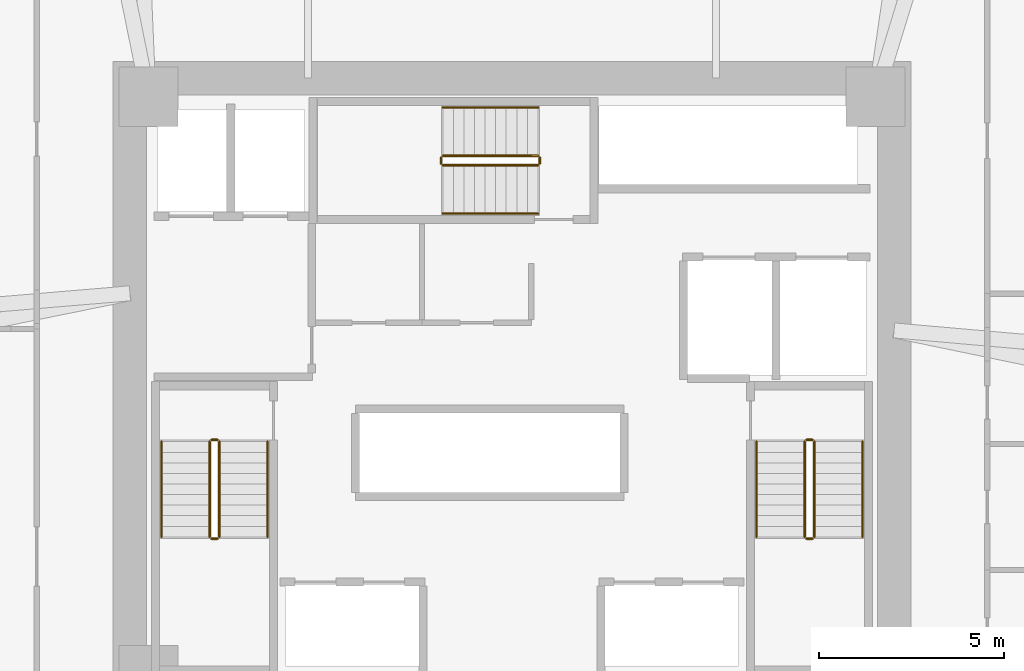
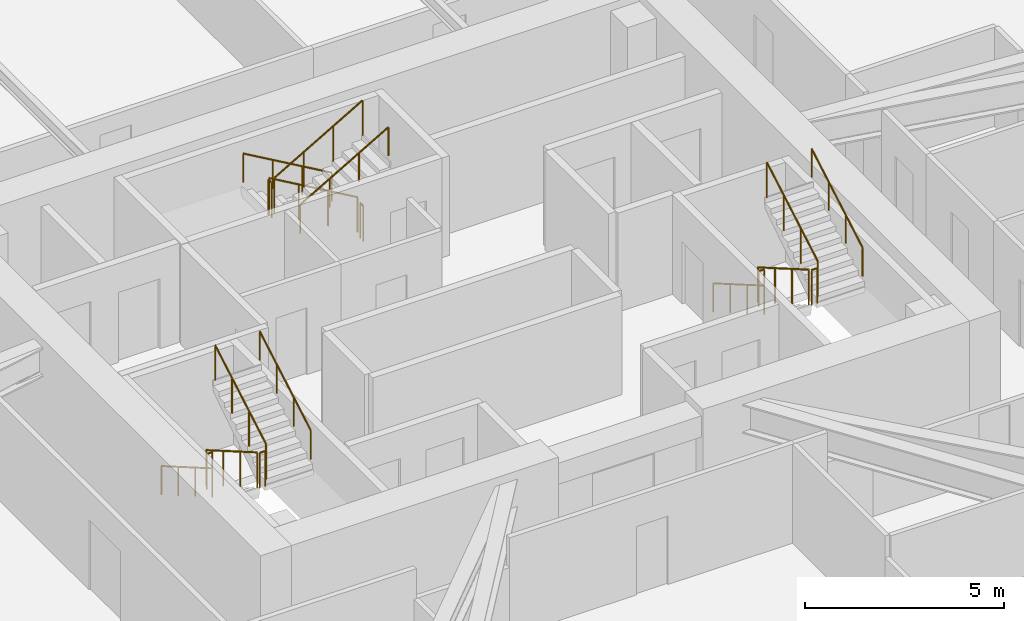
# One storey, part 14 of 14: 18 railings.
"""IFC4 building model written with IfcOpenShell, lengths in metres."""

from ifc_helpers import new_model, si_unit, direction, frame, origin, origin_2d, place, context, subcontext, project, spatial, circle, extrude, material, type_object, element, save


model = new_model("IFC4")

# Units and contexts
model_context = context("Model", 3, precision=1e-05, world=origin(), true_north=direction((0.0, 1.0)))
body_context = subcontext(model_context, "Body", "Model", "MODEL_VIEW")
ifc_project = project(units=[si_unit("LENGTHUNIT", "METRE"), si_unit("AREAUNIT", "SQUARE_METRE"), si_unit("VOLUMEUNIT", "CUBIC_METRE"), si_unit("PLANEANGLEUNIT", "RADIAN"), si_unit("MASSUNIT", "GRAM", prefix="KILO")], contexts=[model_context])

# Site, building, storey
site_placement = place(None, origin())
site = spatial("IfcSite", under=ifc_project, at=site_placement, CompositionType="ELEMENT")
building_placement = place(site_placement, origin())
building = spatial("IfcBuilding", under=site, at=building_placement, Name="Durnholm Broadcast Tower", CompositionType="ELEMENT")
storey_placement = place(building_placement, frame((0.0, 0.0, 48.89990234375)))
storey = spatial("IfcBuildingStorey", under=building, at=storey_placement, Name="L11", CompositionType="ELEMENT", Elevation=48.89990234375)

# Railings
ifc_material_1 = material(Name="Painted Tubular Steel Stair Guardrail", Category="steel")
railing_type_1 = type_object("IfcRailingType", Name="RAIL-ST-GRD", PredefinedType="GUARDRAIL", material=ifc_material_1)
railing_1_placement = place(storey_placement, frame((-8.14990234375, -1.5, 0.1650390625)))
element("IfcRailing", 1, at=railing_1_placement, inside=storey, type_object=railing_type_1, Name="L11 ST-1 stair guard 1", PredefinedType="GUARDRAIL", context=body_context, shape_type="SweptSolid", body=[
    extrude(circle(Radius=0.02392578125, at=origin_2d()), frame((0.0, 0.0, 1.076171875), z_axis=(0.0, -0.865405606168, 0.501071987656), x_axis=(1.0, 0.0, 0.0)), (0.0, 0.0, 1.0), 2.9638671875),
    extrude(circle(Radius=0.02099609375, at=origin_2d()), origin(), (0.0, 0.0, 1.0), 1.052001953125),
    extrude(circle(Radius=0.02099609375, at=origin_2d()), frame((0.0, -0.85498046875, 0.4951171875)), (0.0, 0.0, 1.0), 1.052001953125),
    extrude(circle(Radius=0.02099609375, at=origin_2d()), frame((0.0, -1.7099609375, 0.989990234375)), (0.0, 0.0, 1.0), 1.052001953125),
    extrude(circle(Radius=0.02099609375, at=origin_2d()), frame((0.0, -2.56494140625, 1.485107421875)), (0.0, 0.0, 1.0), 1.052001953125),
])
railing_2_placement = place(storey_placement, frame((-8.10009765625, -4.114990234375, 1.650146484375)))
element("IfcRailing", 2, at=railing_2_placement, inside=storey, type_object=railing_type_1, Name="L11 ST-1 stair guard 2", PredefinedType="GUARDRAIL", context=body_context, shape_type="SweptSolid", body=[
    extrude(circle(Radius=0.02392578125, at=origin_2d()), frame((0.0, 0.0, 1.076171875), z_axis=(1.0, 0.0, 0.0), x_axis=(0.0, 1.0, 0.0)), (0.0, 0.0, 1.0), 0.16015625),
    extrude(circle(Radius=0.02099609375, at=origin_2d()), origin(), (0.0, 0.0, 1.0), 1.052001953125),
    extrude(circle(Radius=0.02099609375, at=origin_2d()), frame((0.16015625, 0.0, 0.0)), (0.0, 0.0, 1.0), 1.052001953125),
])
railing_3_placement = place(storey_placement, frame((-7.889892578125, -4.06494140625, 1.815185546875)))
element("IfcRailing", 3, at=railing_3_placement, inside=storey, type_object=railing_type_1, Name="L11 ST-1 stair guard 3", PredefinedType="GUARDRAIL", context=body_context, shape_type="SweptSolid", body=[
    extrude(circle(Radius=0.02392578125, at=origin_2d()), frame((0.0, 0.0, 1.076171875), z_axis=(0.0, 0.865441324677, 0.50101029285), x_axis=(-1.0, 0.0, 0.0)), (0.0, 0.0, 1.0), 2.963623046875),
    extrude(circle(Radius=0.02099609375, at=origin_2d()), origin(), (0.0, 0.0, 1.0), 1.052001953125),
    extrude(circle(Radius=0.02099609375, at=origin_2d()), frame((0.0, 0.85498046875, 0.494873046875)), (0.0, 0.0, 1.0), 1.052001953125),
    extrude(circle(Radius=0.02099609375, at=origin_2d()), frame((0.0, 1.7099609375, 0.989990234375)), (0.0, 0.0, 1.0), 1.052001953125),
    extrude(circle(Radius=0.02099609375, at=origin_2d()), frame((0.0, 2.56494140625, 1.48486328125)), (0.0, 0.0, 1.0), 1.052001953125),
])
railing_4_placement = place(storey_placement, frame((-8.10009765625, -1.449951171875, 0.0)))
element("IfcRailing", 4, at=railing_4_placement, inside=storey, type_object=railing_type_1, Name="L11 ST-1 stair guard 4", PredefinedType="GUARDRAIL", context=body_context, shape_type="SweptSolid", body=[
    extrude(circle(Radius=0.02392578125, at=origin_2d()), frame((0.0, 0.0, 1.076171875), z_axis=(1.0, 0.0, 0.0), x_axis=(0.0, 1.0, 0.0)), (0.0, 0.0, 1.0), 0.16015625),
    extrude(circle(Radius=0.02099609375, at=origin_2d()), origin(), (0.0, 0.0, 1.0), 1.052001953125),
    extrude(circle(Radius=0.02099609375, at=origin_2d()), frame((0.16015625, 0.0, 0.0)), (0.0, 0.0, 1.0), 1.052001953125),
])
railing_5_placement = place(storey_placement, frame((7.889892578125, -1.5, 0.1650390625)))
element("IfcRailing", 5, at=railing_5_placement, inside=storey, type_object=railing_type_1, Name="L11 ST-2 stair guard 1", PredefinedType="GUARDRAIL", context=body_context, shape_type="SweptSolid", body=[
    extrude(circle(Radius=0.02392578125, at=origin_2d()), frame((0.0, 0.0, 1.076171875), z_axis=(0.0, -0.865405606168, 0.501071987656), x_axis=(1.0, 0.0, 0.0)), (0.0, 0.0, 1.0), 2.9638671875),
    extrude(circle(Radius=0.02099609375, at=origin_2d()), origin(), (0.0, 0.0, 1.0), 1.052001953125),
    extrude(circle(Radius=0.02099609375, at=origin_2d()), frame((0.0, -0.85498046875, 0.4951171875)), (0.0, 0.0, 1.0), 1.052001953125),
    extrude(circle(Radius=0.02099609375, at=origin_2d()), frame((0.0, -1.7099609375, 0.989990234375)), (0.0, 0.0, 1.0), 1.052001953125),
    extrude(circle(Radius=0.02099609375, at=origin_2d()), frame((0.0, -2.56494140625, 1.485107421875)), (0.0, 0.0, 1.0), 1.052001953125),
])
railing_6_placement = place(storey_placement, frame((7.93994140625, -4.114990234375, 1.650146484375)))
element("IfcRailing", 6, at=railing_6_placement, inside=storey, type_object=railing_type_1, Name="L11 ST-2 stair guard 2", PredefinedType="GUARDRAIL", context=body_context, shape_type="SweptSolid", body=[
    extrude(circle(Radius=0.02392578125, at=origin_2d()), frame((0.0, 0.0, 1.076171875), z_axis=(1.0, 0.0, 0.0), x_axis=(0.0, 1.0, 0.0)), (0.0, 0.0, 1.0), 0.16015625),
    extrude(circle(Radius=0.02099609375, at=origin_2d()), origin(), (0.0, 0.0, 1.0), 1.052001953125),
    extrude(circle(Radius=0.02099609375, at=origin_2d()), frame((0.16015625, 0.0, 0.0)), (0.0, 0.0, 1.0), 1.052001953125),
])
railing_7_placement = place(storey_placement, frame((8.14990234375, -4.06494140625, 1.815185546875)))
element("IfcRailing", 7, at=railing_7_placement, inside=storey, type_object=railing_type_1, Name="L11 ST-2 stair guard 3", PredefinedType="GUARDRAIL", context=body_context, shape_type="SweptSolid", body=[
    extrude(circle(Radius=0.02392578125, at=origin_2d()), frame((0.0, 0.0, 1.076171875), z_axis=(0.0, 0.865441324677, 0.50101029285), x_axis=(-1.0, 0.0, 0.0)), (0.0, 0.0, 1.0), 2.963623046875),
    extrude(circle(Radius=0.02099609375, at=origin_2d()), origin(), (0.0, 0.0, 1.0), 1.052001953125),
    extrude(circle(Radius=0.02099609375, at=origin_2d()), frame((0.0, 0.85498046875, 0.494873046875)), (0.0, 0.0, 1.0), 1.052001953125),
    extrude(circle(Radius=0.02099609375, at=origin_2d()), frame((0.0, 1.7099609375, 0.989990234375)), (0.0, 0.0, 1.0), 1.052001953125),
    extrude(circle(Radius=0.02099609375, at=origin_2d()), frame((0.0, 2.56494140625, 1.48486328125)), (0.0, 0.0, 1.0), 1.052001953125),
])
railing_8_placement = place(storey_placement, frame((7.93994140625, -1.449951171875, 0.0)))
element("IfcRailing", 8, at=railing_8_placement, inside=storey, type_object=railing_type_1, Name="L11 ST-2 stair guard 4", PredefinedType="GUARDRAIL", context=body_context, shape_type="SweptSolid", body=[
    extrude(circle(Radius=0.02392578125, at=origin_2d()), frame((0.0, 0.0, 1.076171875), z_axis=(1.0, 0.0, 0.0), x_axis=(0.0, 1.0, 0.0)), (0.0, 0.0, 1.0), 0.16015625),
    extrude(circle(Radius=0.02099609375, at=origin_2d()), origin(), (0.0, 0.0, 1.0), 1.052001953125),
    extrude(circle(Radius=0.02099609375, at=origin_2d()), frame((0.16015625, 0.0, 0.0)), (0.0, 0.0, 1.0), 1.052001953125),
])
railing_9_placement = place(storey_placement, frame((0.699951171875, 6.2099609375, 0.1650390625)))
element("IfcRailing", 9, at=railing_9_placement, inside=storey, type_object=railing_type_1, Name="L11 ST-3 stair guard 1", PredefinedType="GUARDRAIL", context=body_context, shape_type="SweptSolid", body=[
    extrude(circle(Radius=0.02392578125, at=origin_2d()), frame((0.0, 0.0, 1.076171875), z_axis=(-0.865405606168, 0.0, 0.501071987656), x_axis=(0.0, -1.0, 0.0)), (0.0, 0.0, 1.0), 2.9638671875),
    extrude(circle(Radius=0.02099609375, at=origin_2d()), origin(), (0.0, 0.0, 1.0), 1.052001953125),
    extrude(circle(Radius=0.02099609375, at=origin_2d()), frame((-0.85498046875, 0.0, 0.4951171875)), (0.0, 0.0, 1.0), 1.052001953125),
    extrude(circle(Radius=0.02099609375, at=origin_2d()), frame((-1.7099609375, 0.0, 0.989990234375)), (0.0, 0.0, 1.0), 1.052001953125),
    extrude(circle(Radius=0.02099609375, at=origin_2d()), frame((-2.56494140625, 0.0, 1.485107421875)), (0.0, 0.0, 1.0), 1.052001953125),
])
railing_10_placement = place(storey_placement, frame((-1.9150390625, 6.159912109375, 1.650146484375)))
element("IfcRailing", 10, at=railing_10_placement, inside=storey, type_object=railing_type_1, Name="L11 ST-3 stair guard 2", PredefinedType="GUARDRAIL", context=body_context, shape_type="SweptSolid", body=[
    extrude(circle(Radius=0.02392578125, at=origin_2d()), frame((0.0, 0.0, 1.076171875), z_axis=(0.0, -1.0, 0.0), x_axis=(1.0, 0.0, 0.0)), (0.0, 0.0, 1.0), 0.159912109375),
    extrude(circle(Radius=0.02099609375, at=origin_2d()), origin(), (0.0, 0.0, 1.0), 1.052001953125),
    extrude(circle(Radius=0.02099609375, at=origin_2d()), frame((0.0, -0.159912109375, 0.0)), (0.0, 0.0, 1.0), 1.052001953125),
])
railing_11_placement = place(storey_placement, frame((-1.864990234375, 5.949951171875, 1.815185546875)))
element("IfcRailing", 11, at=railing_11_placement, inside=storey, type_object=railing_type_1, Name="L11 ST-3 stair guard 3", PredefinedType="GUARDRAIL", context=body_context, shape_type="SweptSolid", body=[
    extrude(circle(Radius=0.02392578125, at=origin_2d()), frame((0.0, 0.0, 1.076171875), z_axis=(0.865441324677, 0.0, 0.50101029285), x_axis=(0.0, 1.0, 0.0)), (0.0, 0.0, 1.0), 2.963623046875),
    extrude(circle(Radius=0.02099609375, at=origin_2d()), origin(), (0.0, 0.0, 1.0), 1.052001953125),
    extrude(circle(Radius=0.02099609375, at=origin_2d()), frame((0.85498046875, 0.0, 0.494873046875)), (0.0, 0.0, 1.0), 1.052001953125),
    extrude(circle(Radius=0.02099609375, at=origin_2d()), frame((1.7099609375, 0.0, 0.989990234375)), (0.0, 0.0, 1.0), 1.052001953125),
    extrude(circle(Radius=0.02099609375, at=origin_2d()), frame((2.56494140625, 0.0, 1.48486328125)), (0.0, 0.0, 1.0), 1.052001953125),
])
railing_12_placement = place(storey_placement, frame((0.75, 6.159912109375, 0.0)))
element("IfcRailing", 12, at=railing_12_placement, inside=storey, type_object=railing_type_1, Name="L11 ST-3 stair guard 4", PredefinedType="GUARDRAIL", context=body_context, shape_type="SweptSolid", body=[
    extrude(circle(Radius=0.02392578125, at=origin_2d()), frame((0.0, 0.0, 1.076171875), z_axis=(0.0, -1.0, 0.0), x_axis=(1.0, 0.0, 0.0)), (0.0, 0.0, 1.0), 0.159912109375),
    extrude(circle(Radius=0.02099609375, at=origin_2d()), origin(), (0.0, 0.0, 1.0), 1.052001953125),
    extrude(circle(Radius=0.02099609375, at=origin_2d()), frame((0.0, -0.159912109375, 0.0)), (0.0, 0.0, 1.0), 1.052001953125),
])
ifc_material_2 = material(Name="Brushed Stainless Steel Handrail", Category="steel")
railing_type_2 = type_object("IfcRailingType", Name="RAIL-ST-HND", PredefinedType="HANDRAIL", material=ifc_material_2)
railing_13_placement = place(storey_placement, frame((-9.449951171875, -1.5, 0.330078125)))
element("IfcRailing", 13, at=railing_13_placement, inside=storey, type_object=railing_type_2, Name="L11 ST-1 stair handrail 1", PredefinedType="HANDRAIL", context=body_context, shape_type="SweptSolid", body=[
    extrude(circle(Radius=0.02392578125, at=origin_2d()), frame((0.0, 0.0, 0.8759765625), z_axis=(0.0, -0.865405606168, 0.501071987656), x_axis=(1.0, 0.0, 0.0)), (0.0, 0.0, 1.0), 2.9638671875),
    extrude(circle(Radius=0.02099609375, at=origin_2d()), origin(), (0.0, 0.0, 1.0), 0.851806640625),
    extrude(circle(Radius=0.02099609375, at=origin_2d()), frame((0.0, -0.85498046875, 0.4951171875)), (0.0, 0.0, 1.0), 0.851806640625),
    extrude(circle(Radius=0.02099609375, at=origin_2d()), frame((0.0, -1.7099609375, 0.989990234375)), (0.0, 0.0, 1.0), 0.851806640625),
    extrude(circle(Radius=0.02099609375, at=origin_2d()), frame((0.0, -2.56494140625, 1.485107421875)), (0.0, 0.0, 1.0), 0.851806640625),
])
railing_14_placement = place(storey_placement, frame((-6.590087890625, -4.06494140625, 1.97998046875)))
element("IfcRailing", 14, at=railing_14_placement, inside=storey, type_object=railing_type_2, Name="L11 ST-1 stair handrail 2", PredefinedType="HANDRAIL", context=body_context, shape_type="SweptSolid", body=[
    extrude(circle(Radius=0.02392578125, at=origin_2d()), frame((0.0, 0.0, 0.8759765625), z_axis=(0.0, 0.865405606168, 0.501071987656), x_axis=(-1.0, 0.0, 0.0)), (0.0, 0.0, 1.0), 2.9638671875),
    extrude(circle(Radius=0.02099609375, at=origin_2d()), origin(), (0.0, 0.0, 1.0), 0.851806640625),
    extrude(circle(Radius=0.02099609375, at=origin_2d()), frame((0.0, 0.85498046875, 0.4951171875)), (0.0, 0.0, 1.0), 0.851806640625),
    extrude(circle(Radius=0.02099609375, at=origin_2d()), frame((0.0, 1.7099609375, 0.989990234375)), (0.0, 0.0, 1.0), 0.851806640625),
    extrude(circle(Radius=0.02099609375, at=origin_2d()), frame((0.0, 2.56494140625, 1.485107421875)), (0.0, 0.0, 1.0), 0.851806640625),
])
railing_15_placement = place(storey_placement, frame((6.590087890625, -1.5, 0.330078125)))
element("IfcRailing", 15, at=railing_15_placement, inside=storey, type_object=railing_type_2, Name="L11 ST-2 stair handrail 1", PredefinedType="HANDRAIL", context=body_context, shape_type="SweptSolid", body=[
    extrude(circle(Radius=0.02392578125, at=origin_2d()), frame((0.0, 0.0, 0.8759765625), z_axis=(0.0, -0.865405606168, 0.501071987656), x_axis=(1.0, 0.0, 0.0)), (0.0, 0.0, 1.0), 2.9638671875),
    extrude(circle(Radius=0.02099609375, at=origin_2d()), origin(), (0.0, 0.0, 1.0), 0.851806640625),
    extrude(circle(Radius=0.02099609375, at=origin_2d()), frame((0.0, -0.85498046875, 0.4951171875)), (0.0, 0.0, 1.0), 0.851806640625),
    extrude(circle(Radius=0.02099609375, at=origin_2d()), frame((0.0, -1.7099609375, 0.989990234375)), (0.0, 0.0, 1.0), 0.851806640625),
    extrude(circle(Radius=0.02099609375, at=origin_2d()), frame((0.0, -2.56494140625, 1.485107421875)), (0.0, 0.0, 1.0), 0.851806640625),
])
railing_16_placement = place(storey_placement, frame((9.449951171875, -4.06494140625, 1.97998046875)))
element("IfcRailing", 16, at=railing_16_placement, inside=storey, type_object=railing_type_2, Name="L11 ST-2 stair handrail 2", PredefinedType="HANDRAIL", context=body_context, shape_type="SweptSolid", body=[
    extrude(circle(Radius=0.02392578125, at=origin_2d()), frame((0.0, 0.0, 0.8759765625), z_axis=(0.0, 0.865405606168, 0.501071987656), x_axis=(-1.0, 0.0, 0.0)), (0.0, 0.0, 1.0), 2.9638671875),
    extrude(circle(Radius=0.02099609375, at=origin_2d()), origin(), (0.0, 0.0, 1.0), 0.851806640625),
    extrude(circle(Radius=0.02099609375, at=origin_2d()), frame((0.0, 0.85498046875, 0.4951171875)), (0.0, 0.0, 1.0), 0.851806640625),
    extrude(circle(Radius=0.02099609375, at=origin_2d()), frame((0.0, 1.7099609375, 0.989990234375)), (0.0, 0.0, 1.0), 0.851806640625),
    extrude(circle(Radius=0.02099609375, at=origin_2d()), frame((0.0, 2.56494140625, 1.485107421875)), (0.0, 0.0, 1.0), 0.851806640625),
])
railing_17_placement = place(storey_placement, frame((0.699951171875, 7.510009765625, 0.330078125)))
element("IfcRailing", 17, at=railing_17_placement, inside=storey, type_object=railing_type_2, Name="L11 ST-3 stair handrail 1", PredefinedType="HANDRAIL", context=body_context, shape_type="SweptSolid", body=[
    extrude(circle(Radius=0.02392578125, at=origin_2d()), frame((0.0, 0.0, 0.8759765625), z_axis=(-0.865405606168, 0.0, 0.501071987656), x_axis=(0.0, -1.0, 0.0)), (0.0, 0.0, 1.0), 2.9638671875),
    extrude(circle(Radius=0.02099609375, at=origin_2d()), origin(), (0.0, 0.0, 1.0), 0.851806640625),
    extrude(circle(Radius=0.02099609375, at=origin_2d()), frame((-0.85498046875, 0.0, 0.4951171875)), (0.0, 0.0, 1.0), 0.851806640625),
    extrude(circle(Radius=0.02099609375, at=origin_2d()), frame((-1.7099609375, 0.0, 0.989990234375)), (0.0, 0.0, 1.0), 0.851806640625),
    extrude(circle(Radius=0.02099609375, at=origin_2d()), frame((-2.56494140625, 0.0, 1.485107421875)), (0.0, 0.0, 1.0), 0.851806640625),
])
railing_18_placement = place(storey_placement, frame((-1.864990234375, 4.64990234375, 1.97998046875)))
element("IfcRailing", 18, at=railing_18_placement, inside=storey, type_object=railing_type_2, Name="L11 ST-3 stair handrail 2", PredefinedType="HANDRAIL", context=body_context, shape_type="SweptSolid", body=[
    extrude(circle(Radius=0.02392578125, at=origin_2d()), frame((0.0, 0.0, 0.8759765625), z_axis=(0.865405606168, 0.0, 0.501071987656), x_axis=(0.0, 1.0, 0.0)), (0.0, 0.0, 1.0), 2.9638671875),
    extrude(circle(Radius=0.02099609375, at=origin_2d()), origin(), (0.0, 0.0, 1.0), 0.851806640625),
    extrude(circle(Radius=0.02099609375, at=origin_2d()), frame((0.85498046875, 0.0, 0.4951171875)), (0.0, 0.0, 1.0), 0.851806640625),
    extrude(circle(Radius=0.02099609375, at=origin_2d()), frame((1.7099609375, 0.0, 0.989990234375)), (0.0, 0.0, 1.0), 0.851806640625),
    extrude(circle(Radius=0.02099609375, at=origin_2d()), frame((2.56494140625, 0.0, 1.485107421875)), (0.0, 0.0, 1.0), 0.851806640625),
])

save(model, "model.ifc")
